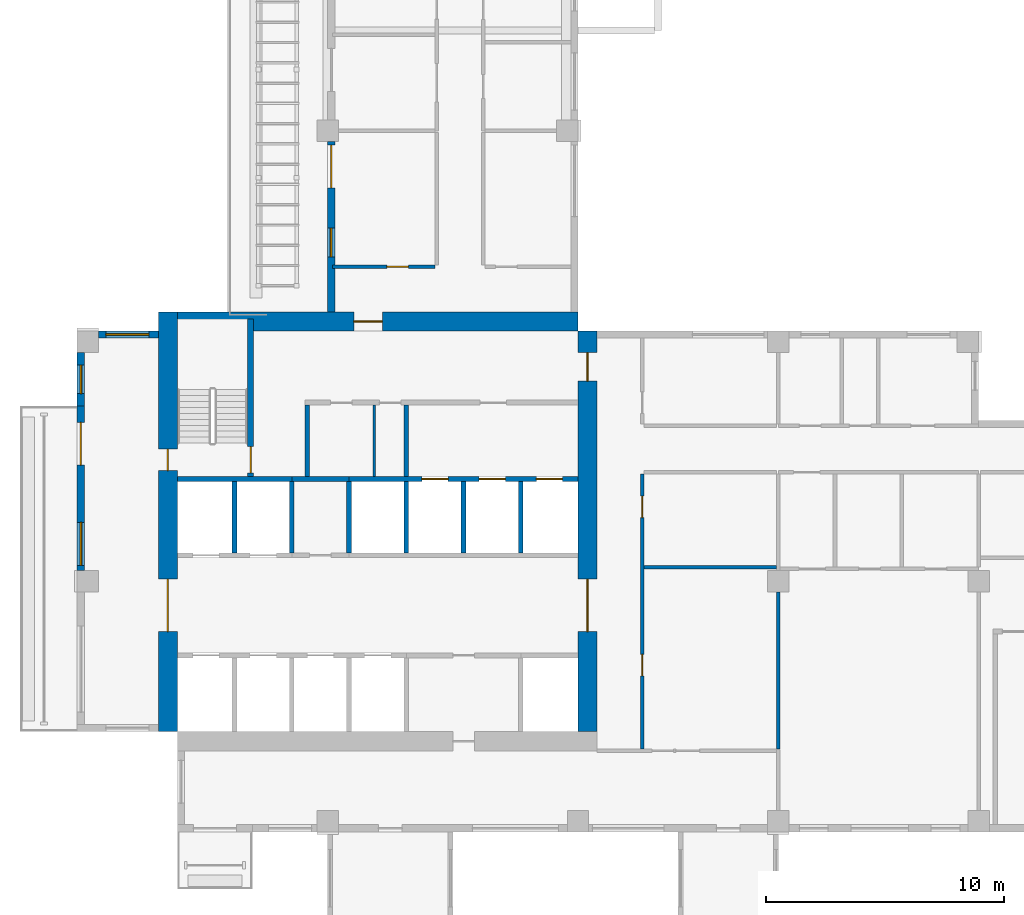
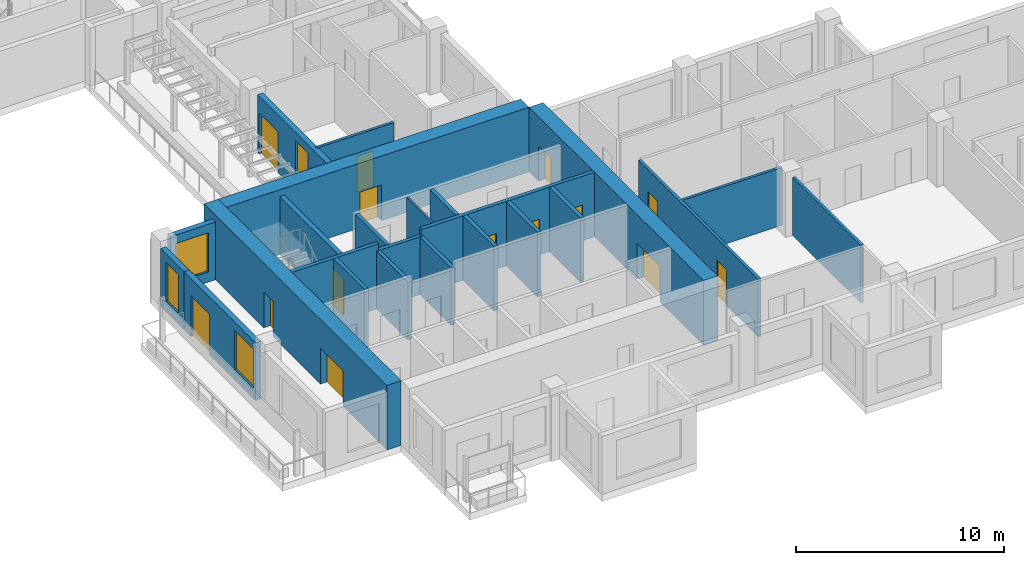
# One storey, part 5 of 14: 24 walls, 14 doors, 4 windows, 18 openings.
"""IFC4 building model written with IfcOpenShell, lengths in metres."""

from ifc_helpers import new_model, si_unit, direction, frame, frame_2d, origin, place, context, subcontext, project, spatial, rectangle, extrude, source, transform, mapped, material, layer, layer_set, type_object, element, fill, save


model = new_model("IFC4")

# Units and contexts
model_context = context("Model", 3, precision=1e-05, world=origin(), true_north=direction((0.0, 1.0)))
body_context = subcontext(model_context, "Body", "Model", "MODEL_VIEW")
ifc_project = project(units=[si_unit("LENGTHUNIT", "METRE"), si_unit("AREAUNIT", "SQUARE_METRE"), si_unit("VOLUMEUNIT", "CUBIC_METRE"), si_unit("PLANEANGLEUNIT", "RADIAN"), si_unit("MASSUNIT", "GRAM", prefix="KILO")], contexts=[model_context])

# Site, building, storey
site_placement = place(None, origin())
site = spatial("IfcSite", under=ifc_project, at=site_placement, CompositionType="ELEMENT")
building_placement = place(site_placement, origin())
building = spatial("IfcBuilding", under=site, at=building_placement, Name="Aurelian Terraces", CompositionType="ELEMENT")
storey_placement = place(building_placement, frame((0.0, 0.0, 185.4)))
storey = spatial("IfcBuildingStorey", under=building, at=storey_placement, Name="L40", CompositionType="ELEMENT", Elevation=185.4)

# Wall, opening, window
ifc_material_1 = material(Name="Terracotta rainscreen cladding", Category="masonry")
ifc_layer_1 = layer(ifc_material_1, 0.3)
ifc_layer_set_1 = layer_set([ifc_layer_1], Name="EW-300")
wall_type_1 = type_object("IfcWallType", Name="EW-300", PredefinedType="STANDARD", material=ifc_layer_set_1)
wall_1_placement = place(storey_placement, frame((0.15, 20.1, 0.0), z_axis=(0.0, 0.0, 1.0), x_axis=(0.0, -1.0, 0.0)))
wall_1 = element("IfcWall", 1, at=wall_1_placement, inside=storey, type_object=wall_type_1, Name="External wall L40 F22.38", PredefinedType="STANDARD", context=body_context, shape_type="SweptSolid", body=[
    extrude(rectangle(XDim=2.25, YDim=0.3, at=frame_2d((1.125, 0.0))), origin(), (0.0, 0.0, 1.0), 3.4),
])
shared_shape_1 = source(origin(), body_context, "Body", "SweptSolid", [
    extrude(rectangle(XDim=1.2, YDim=2.3, at=frame_2d((0.6, 1.15))), frame((0.0, 0.16, 0.0), z_axis=(0.0, -1.0, 0.0), x_axis=(1.0, 0.0, 0.0)), (0.0, 0.0, 1.0), 0.32),
])
opening_1_placement = place(wall_1_placement, frame((0.525, 0.0, 0.6)))
opening_1 = element("IfcOpeningElement", 2, at=opening_1_placement, cuts=wall_1, Name="Opening W1223", PredefinedType="OPENING", context=body_context, shape_type="MappedRepresentation", body=[
    mapped(shared_shape_1, transform((0.0, 0.0, 0.0), scale=1.0)),
])
ifc_material_2 = material(Name="Clear glazing", Category="glass")
window_type_1 = type_object("IfcWindowType", Name="W-1200x2300", PartitioningType="SINGLE_PANEL", PredefinedType="WINDOW", material=ifc_material_2)
shared_shape_2 = source(origin(), body_context, "Body", "SweptSolid", [
    extrude(rectangle(XDim=1.2, YDim=2.3, at=frame_2d((0.6, 1.15))), frame((0.0, 0.03, 0.0), z_axis=(0.0, -1.0, 0.0), x_axis=(1.0, 0.0, 0.0)), (0.0, 0.0, 1.0), 0.06),
])
window_1_placement = place(opening_1_placement, origin())
window_1 = element("IfcWindow", 3, at=window_1_placement, inside=storey, type_object=window_type_1, Name="Window L40 L40-F22-38-P0", OverallHeight=2.3, OverallWidth=1.2, PartitioningType="SINGLE_PANEL", PredefinedType="WINDOW", context=body_context, shape_type="MappedRepresentation", body=[
    mapped(shared_shape_2, transform((0.0, 0.0, 0.0), scale=1.0)),
])
fill(opening_1, window_1)

# Wall, openings, door, window
wall_2_placement = place(storey_placement, frame((0.15, 17.85, 0.0), z_axis=(0.0, 0.0, 1.0), x_axis=(0.0, -1.0, 0.0)))
wall_2 = element("IfcWall", 4, at=wall_2_placement, inside=storey, type_object=wall_type_1, Name="External wall L40 F22.39", PredefinedType="STANDARD", context=body_context, shape_type="SweptSolid", body=[
    extrude(rectangle(XDim=6.9, YDim=0.3, at=frame_2d((3.45, 0.0))), origin(), (0.0, 0.0, 1.0), 3.4),
])
shared_shape_3 = source(origin(), body_context, "Body", "SweptSolid", [
    extrude(rectangle(XDim=1.8, YDim=2.4, at=frame_2d((0.9, 1.2))), frame((0.0, 0.16, 0.0), z_axis=(0.0, -1.0, 0.0), x_axis=(1.0, 0.0, 0.0)), (0.0, 0.0, 1.0), 0.32),
])
opening_2_placement = place(wall_2_placement, frame((0.675, 0.0, 0.0)))
opening_2 = element("IfcOpeningElement", 5, at=opening_2_placement, cuts=wall_2, Name="Opening 84006", PredefinedType="OPENING", context=body_context, shape_type="MappedRepresentation", body=[
    mapped(shared_shape_3, transform((0.0, 0.0, 0.0), scale=1.0)),
])
shared_shape_4 = source(origin(), body_context, "Body", "SweptSolid", [
    extrude(rectangle(XDim=1.8, YDim=2.3, at=frame_2d((0.9, 1.15))), frame((0.0, 0.16, 0.0), z_axis=(0.0, -1.0, 0.0), x_axis=(1.0, 0.0, 0.0)), (0.0, 0.0, 1.0), 0.32),
])
opening_3_placement = place(wall_2_placement, frame((4.875, 0.0, 0.6)))
opening_3 = element("IfcOpeningElement", 6, at=opening_3_placement, cuts=wall_2, Name="Opening W1823", PredefinedType="OPENING", context=body_context, shape_type="MappedRepresentation", body=[
    mapped(shared_shape_4, transform((0.0, 0.0, 0.0), scale=1.0)),
])
door_type_1 = type_object("IfcDoorType", Name="BD-1800x2400", OperationType="SLIDING_TO_LEFT", PredefinedType="DOOR", material=ifc_material_2)
shared_shape_5 = source(origin(), body_context, "Body", "SweptSolid", [
    extrude(rectangle(XDim=1.8, YDim=2.4, at=frame_2d((0.9, 1.2))), frame((0.0, 0.025, 0.0), z_axis=(0.0, -1.0, 0.0), x_axis=(1.0, 0.0, 0.0)), (0.0, 0.0, 1.0), 0.05),
])
door_1_placement = place(opening_2_placement, origin())
door_1 = element("IfcDoor", 7, at=door_1_placement, inside=storey, type_object=door_type_1, Name="Balcony door L40 F22.39", OperationType="SLIDING_TO_LEFT", OverallHeight=2.4, OverallWidth=1.8, PredefinedType="DOOR", context=body_context, shape_type="MappedRepresentation", body=[
    mapped(shared_shape_5, transform((0.0, 0.0, 0.0), scale=1.0)),
])
fill(opening_2, door_1)
window_type_2 = type_object("IfcWindowType", Name="W-1800x2300", PartitioningType="SINGLE_PANEL", PredefinedType="WINDOW", material=ifc_material_2)
shared_shape_6 = source(origin(), body_context, "Body", "SweptSolid", [
    extrude(rectangle(XDim=1.8, YDim=2.3, at=frame_2d((0.9, 1.15))), frame((0.0, 0.03, 0.0), z_axis=(0.0, -1.0, 0.0), x_axis=(1.0, 0.0, 0.0)), (0.0, 0.0, 1.0), 0.06),
])
window_2_placement = place(opening_3_placement, origin())
window_2 = element("IfcWindow", 8, at=window_2_placement, inside=storey, type_object=window_type_2, Name="Window L40 L40-F22-39-1", OverallHeight=2.3, OverallWidth=1.8, PartitioningType="SINGLE_PANEL", PredefinedType="WINDOW", context=body_context, shape_type="MappedRepresentation", body=[
    mapped(shared_shape_6, transform((0.0, 0.0, 0.0), scale=1.0)),
])
fill(opening_3, window_2)

# Wall, opening, door
ifc_material_3 = material(Name="Gypsum board on steel studs", Category="steel")
ifc_layer_2 = layer(ifc_material_3, 0.15)
ifc_layer_set_2 = layer_set([ifc_layer_2], Name="Partition 150")
wall_type_2 = type_object("IfcWallType", Name="Partition 150", PredefinedType="PARTITIONING", material=ifc_layer_set_2)
wall_3_placement = place(storey_placement, frame((10.705, 23.7, 0.0), z_axis=(0.0, 0.0, 1.0), x_axis=(1.0, 0.0, 0.0)))
wall_3 = element("IfcWall", 9, at=wall_3_placement, inside=storey, type_object=wall_type_2, Name="Partition", PredefinedType="PARTITIONING", context=body_context, shape_type="SweptSolid", body=[
    extrude(rectangle(XDim=4.295, YDim=0.15, at=frame_2d((2.1475, 0.0))), origin(), (0.0, 0.0, 1.0), 3.4),
])
shared_shape_7 = source(origin(), body_context, "Body", "SweptSolid", [
    extrude(rectangle(XDim=0.9, YDim=2.1, at=frame_2d((0.45, 1.05))), frame((0.0, 0.085, 0.0), z_axis=(0.0, -1.0, 0.0), x_axis=(1.0, 0.0, 0.0)), (0.0, 0.0, 1.0), 0.17),
])
opening_4_placement = place(wall_3_placement, frame((2.2825, 0.0, 0.0)))
opening_4 = element("IfcOpeningElement", 10, at=opening_4_placement, cuts=wall_3, Name="Opening 740020", PredefinedType="OPENING", context=body_context, shape_type="MappedRepresentation", body=[
    mapped(shared_shape_7, transform((0.0, 0.0, 0.0), scale=1.0)),
])
ifc_material_4 = material(Name="Timber door leaf", Category="wood")
door_type_2 = type_object("IfcDoorType", Name="Room door 900x2100 left", OperationType="SINGLE_SWING_LEFT", PredefinedType="DOOR", material=ifc_material_4)
shared_shape_8 = source(origin(), body_context, "Body", "SweptSolid", [
    extrude(rectangle(XDim=0.9, YDim=2.1, at=frame_2d((0.45, 1.05))), frame((0.0, 0.025, 0.0), z_axis=(0.0, -1.0, 0.0), x_axis=(1.0, 0.0, 0.0)), (0.0, 0.0, 1.0), 0.05),
])
door_2_placement = place(opening_4_placement, origin())
door_2 = element("IfcDoor", 11, at=door_2_placement, inside=storey, type_object=door_type_2, Name="Door 740020", OperationType="SINGLE_SWING_LEFT", OverallHeight=2.1, OverallWidth=0.9, PredefinedType="DOOR", context=body_context, shape_type="MappedRepresentation", body=[
    mapped(shared_shape_8, transform((0.0, 0.0, 0.0), scale=1.0)),
])
fill(opening_4, door_2)

# Wall, openings, doors
ifc_material_5 = material(Name="Concrete fc' 70 MPa", Category="concrete")
ifc_layer_3 = layer(ifc_material_5, 0.8)
ifc_layer_set_3 = layer_set([ifc_layer_3], Name="CORE WALL 800 FC70")
wall_type_3 = type_object("IfcWallType", Name="CORE WALL 800 FC70", PredefinedType="SHEAR", material=ifc_layer_set_3)
shared_shape_9 = source(origin(), body_context, "Body", "SweptSolid", [
    extrude(rectangle(XDim=17.6, YDim=0.8, at=frame_2d((8.8, 0.0))), origin(), (0.0, 0.0, 1.0), 3.8),
])
wall_4_placement = place(storey_placement, frame((3.8, 4.2, 0.0), z_axis=(0.0, 0.0, 1.0), x_axis=(0.0, 1.0, 0.0)))
wall_4 = element("IfcWall", 12, at=wall_4_placement, inside=storey, type_object=wall_type_3, Name="Core wall W L40", PredefinedType="SHEAR", context=body_context, shape_type="MappedRepresentation", body=[
    mapped(shared_shape_9, transform((0.0, 0.0, 0.0), scale=1.0)),
])
shared_shape_10 = source(origin(), body_context, "Body", "SweptSolid", [
    extrude(rectangle(XDim=2.2, YDim=2.1, at=frame_2d((1.1, 1.05))), frame((0.0, 0.41, 0.0), z_axis=(0.0, -1.0, 0.0), x_axis=(1.0, 0.0, 0.0)), (0.0, 0.0, 1.0), 0.82),
])
opening_5_placement = place(wall_4_placement, frame((4.2, 0.0, 0.0)))
opening_5 = element("IfcOpeningElement", 13, at=opening_5_placement, cuts=wall_4, Name="Opening 64322", PredefinedType="OPENING", context=body_context, shape_type="MappedRepresentation", body=[
    mapped(shared_shape_10, transform((0.0, 0.0, 0.0), scale=1.0)),
])
shared_shape_11 = source(origin(), body_context, "Body", "SweptSolid", [
    extrude(rectangle(XDim=0.9, YDim=2.1, at=frame_2d((0.45, 1.05))), frame((0.0, 0.41, 0.0), z_axis=(0.0, -1.0, 0.0), x_axis=(1.0, 0.0, 0.0)), (0.0, 0.0, 1.0), 0.82),
])
opening_6_placement = place(wall_4_placement, frame((10.95, 0.0, 0.0)))
opening_6 = element("IfcOpeningElement", 14, at=opening_6_placement, cuts=wall_4, Name="Opening 64326", PredefinedType="OPENING", context=body_context, shape_type="MappedRepresentation", body=[
    mapped(shared_shape_11, transform((0.0, 0.0, 0.0), scale=1.0)),
])
ifc_material_6 = material(Name="Steel door leaf", Category="steel")
door_type_3 = type_object("IfcDoorType", Name="Core service door 900x2100", OperationType="SINGLE_SWING_LEFT", PredefinedType="DOOR", material=ifc_material_6)
door_3_placement = place(opening_6_placement, origin())
door_3 = element("IfcDoor", 15, at=door_3_placement, inside=storey, type_object=door_type_3, Name="Core door 64326", OperationType="SINGLE_SWING_LEFT", OverallHeight=2.1, OverallWidth=0.9, PredefinedType="DOOR", context=body_context, shape_type="MappedRepresentation", body=[
    mapped(shared_shape_8, transform((0.0, 0.0, 0.0), scale=1.0)),
])
fill(opening_6, door_3)
door_type_4 = type_object("IfcDoorType", Name="Core double door 2200x2100", OperationType="DOUBLE_DOOR_SINGLE_SWING", PredefinedType="DOOR", material=ifc_material_6)
shared_shape_12 = source(origin(), body_context, "Body", "SweptSolid", [
    extrude(rectangle(XDim=2.2, YDim=2.1, at=frame_2d((1.1, 1.05))), frame((0.0, 0.025, 0.0), z_axis=(0.0, -1.0, 0.0), x_axis=(1.0, 0.0, 0.0)), (0.0, 0.0, 1.0), 0.05),
])
door_4_placement = place(opening_5_placement, origin())
door_4 = element("IfcDoor", 16, at=door_4_placement, inside=storey, type_object=door_type_4, Name="Core door 64322", OperationType="DOUBLE_DOOR_SINGLE_SWING", OverallHeight=2.1, OverallWidth=2.2, PredefinedType="DOOR", context=body_context, shape_type="MappedRepresentation", body=[
    mapped(shared_shape_12, transform((0.0, 0.0, 0.0), scale=1.0)),
])
fill(opening_5, door_4)

shared_shape_13 = source(origin(), body_context, "Body", "SweptSolid", [
    extrude(rectangle(XDim=16.8, YDim=0.8, at=frame_2d((8.4, 0.0))), origin(), (0.0, 0.0, 1.0), 3.8),
])
wall_5_placement = place(storey_placement, frame((21.4, 4.2, 0.0), z_axis=(0.0, 0.0, 1.0), x_axis=(0.0, 1.0, 0.0)))
wall_5 = element("IfcWall", 17, at=wall_5_placement, inside=storey, type_object=wall_type_3, Name="Core wall E L40", PredefinedType="SHEAR", context=body_context, shape_type="MappedRepresentation", body=[
    mapped(shared_shape_13, transform((0.0, 0.0, 0.0), scale=1.0)),
])
opening_7_placement = place(wall_5_placement, frame((4.2, 0.0, 0.0)))
opening_7 = element("IfcOpeningElement", 18, at=opening_7_placement, cuts=wall_5, Name="Opening 64321", PredefinedType="OPENING", context=body_context, shape_type="MappedRepresentation", body=[
    mapped(shared_shape_10, transform((0.0, 0.0, 0.0), scale=1.0)),
])
shared_shape_14 = source(origin(), body_context, "Body", "SweptSolid", [
    extrude(rectangle(XDim=1.2, YDim=2.1, at=frame_2d((0.6, 1.05))), frame((0.0, 0.41, 0.0), z_axis=(0.0, -1.0, 0.0), x_axis=(1.0, 0.0, 0.0)), (0.0, 0.0, 1.0), 0.82),
])
opening_8_placement = place(wall_5_placement, frame((14.7, 0.0, 0.0)))
opening_8 = element("IfcOpeningElement", 19, at=opening_8_placement, cuts=wall_5, Name="Opening 64324", PredefinedType="OPENING", context=body_context, shape_type="MappedRepresentation", body=[
    mapped(shared_shape_14, transform((0.0, 0.0, 0.0), scale=1.0)),
])
door_type_5 = type_object("IfcDoorType", Name="Core fire door 1200x2100", OperationType="SINGLE_SWING_LEFT", PredefinedType="DOOR", material=ifc_material_6)
shared_shape_15 = source(origin(), body_context, "Body", "SweptSolid", [
    extrude(rectangle(XDim=1.2, YDim=2.1, at=frame_2d((0.6, 1.05))), frame((0.0, 0.025, 0.0), z_axis=(0.0, -1.0, 0.0), x_axis=(1.0, 0.0, 0.0)), (0.0, 0.0, 1.0), 0.05),
])
door_5_placement = place(opening_8_placement, origin())
door_5 = element("IfcDoor", 20, at=door_5_placement, inside=storey, type_object=door_type_5, Name="Core door 64324", OperationType="SINGLE_SWING_LEFT", OverallHeight=2.1, OverallWidth=1.2, PredefinedType="DOOR", context=body_context, shape_type="MappedRepresentation", body=[
    mapped(shared_shape_15, transform((0.0, 0.0, 0.0), scale=1.0)),
])
fill(opening_8, door_5)
door_6_placement = place(opening_7_placement, origin())
door_6 = element("IfcDoor", 21, at=door_6_placement, inside=storey, type_object=door_type_4, Name="Core door 64321", OperationType="DOUBLE_DOOR_SINGLE_SWING", OverallHeight=2.1, OverallWidth=2.2, PredefinedType="DOOR", context=body_context, shape_type="MappedRepresentation", body=[
    mapped(shared_shape_12, transform((0.0, 0.0, 0.0), scale=1.0)),
])
fill(opening_7, door_6)

# Wall, opening, door
wall_6_placement = place(storey_placement, frame((4.2, 21.4, 0.0), z_axis=(0.0, 0.0, 1.0), x_axis=(1.0, 0.0, 0.0)))
wall_6 = element("IfcWall", 22, at=wall_6_placement, inside=storey, type_object=wall_type_3, Name="Core wall N L40", PredefinedType="SHEAR", context=body_context, shape_type="MappedRepresentation", body=[
    mapped(shared_shape_13, transform((0.0, 0.0, 0.0), scale=1.0)),
])
opening_9_placement = place(wall_6_placement, frame((7.4, 0.0, 0.0)))
opening_9 = element("IfcOpeningElement", 23, at=opening_9_placement, cuts=wall_6, Name="Opening 64323", PredefinedType="OPENING", context=body_context, shape_type="MappedRepresentation", body=[
    mapped(shared_shape_14, transform((0.0, 0.0, 0.0), scale=1.0)),
])
door_type_6 = type_object("IfcDoorType", Name="Core fire door 1200x2100 right", OperationType="SINGLE_SWING_RIGHT", PredefinedType="DOOR", material=ifc_material_6)
door_7_placement = place(opening_9_placement, origin())
door_7 = element("IfcDoor", 24, at=door_7_placement, inside=storey, type_object=door_type_6, Name="Core door 64323", OperationType="SINGLE_SWING_RIGHT", OverallHeight=2.1, OverallWidth=1.2, PredefinedType="DOOR", context=body_context, shape_type="MappedRepresentation", body=[
    mapped(shared_shape_15, transform((0.0, 0.0, 0.0), scale=1.0)),
])
fill(opening_9, door_7)

# Wall, openings, door, window
shared_shape_16 = source(origin(), body_context, "Body", "SweptSolid", [
    extrude(rectangle(XDim=7.15, YDim=0.3, at=frame_2d((3.575, 0.0))), origin(), (0.0, 0.0, 1.0), 3.4),
])
wall_7_placement = place(storey_placement, frame((10.65, 28.95, 0.0), z_axis=(0.0, 0.0, 1.0), x_axis=(0.0, -1.0, 0.0)))
wall_7 = element("IfcWall", 25, at=wall_7_placement, inside=storey, type_object=wall_type_1, Name="External wall L40 F18.34", PredefinedType="STANDARD", context=body_context, shape_type="MappedRepresentation", body=[
    mapped(shared_shape_16, transform((0.0, 0.0, 0.0), scale=1.0)),
])
opening_10_placement = place(wall_7_placement, frame((0.15, 0.0, 0.0)))
opening_10 = element("IfcOpeningElement", 26, at=opening_10_placement, cuts=wall_7, Name="Opening 84005", PredefinedType="OPENING", context=body_context, shape_type="MappedRepresentation", body=[
    mapped(shared_shape_3, transform((0.0, 0.0, 0.0), scale=1.0)),
])
opening_11_placement = place(wall_7_placement, frame((3.6375, 0.0, 0.6)))
opening_11 = element("IfcOpeningElement", 27, at=opening_11_placement, cuts=wall_7, Name="Opening W1223", PredefinedType="OPENING", context=body_context, shape_type="MappedRepresentation", body=[
    mapped(shared_shape_1, transform((0.0, 0.0, 0.0), scale=1.0)),
])
door_8_placement = place(opening_10_placement, origin())
door_8 = element("IfcDoor", 28, at=door_8_placement, inside=storey, type_object=door_type_1, Name="Terrace door L40 L40-F18-34.3", OperationType="SLIDING_TO_LEFT", OverallHeight=2.4, OverallWidth=1.8, PredefinedType="DOOR", context=body_context, shape_type="MappedRepresentation", body=[
    mapped(shared_shape_5, transform((0.0, 0.0, 0.0), scale=1.0)),
])
fill(opening_10, door_8)
window_3_placement = place(opening_11_placement, origin())
window_3 = element("IfcWindow", 29, at=window_3_placement, inside=storey, type_object=window_type_1, Name="Window L40 L40-F18-34-G1-109", OverallHeight=2.3, OverallWidth=1.2, PartitioningType="SINGLE_PANEL", PredefinedType="WINDOW", context=body_context, shape_type="MappedRepresentation", body=[
    mapped(shared_shape_2, transform((0.0, 0.0, 0.0), scale=1.0)),
])
fill(opening_11, window_3)

# Wall, opening, window
shared_shape_17 = source(origin(), body_context, "Body", "SweptSolid", [
    extrude(rectangle(XDim=2.5, YDim=0.3, at=frame_2d((1.25, 0.0))), origin(), (0.0, 0.0, 1.0), 3.4),
])
wall_8_placement = place(storey_placement, frame((3.4, 20.85, 0.0), z_axis=(0.0, 0.0, 1.0), x_axis=(-1.0, 0.0, 0.0)))
wall_8 = element("IfcWall", 30, at=wall_8_placement, inside=storey, type_object=wall_type_1, Name="External wall L40 F21.37", PredefinedType="STANDARD", context=body_context, shape_type="MappedRepresentation", body=[
    mapped(shared_shape_17, transform((0.0, 0.0, 0.0), scale=1.0)),
])
opening_12_placement = place(wall_8_placement, frame((0.4, 0.0, 0.6)))
opening_12 = element("IfcOpeningElement", 31, at=opening_12_placement, cuts=wall_8, Name="Opening W1823", PredefinedType="OPENING", context=body_context, shape_type="MappedRepresentation", body=[
    mapped(shared_shape_4, transform((0.0, 0.0, 0.0), scale=1.0)),
])
window_4_placement = place(opening_12_placement, origin())
window_4 = element("IfcWindow", 32, at=window_4_placement, inside=storey, type_object=window_type_2, Name="Window L40 L40-F21-37-0", OverallHeight=2.3, OverallWidth=1.8, PartitioningType="SINGLE_PANEL", PredefinedType="WINDOW", context=body_context, shape_type="MappedRepresentation", body=[
    mapped(shared_shape_6, transform((0.0, 0.0, 0.0), scale=1.0)),
])
fill(opening_12, window_4)

# Walls
ifc_material_7 = material(Name="Concrete fc' 40 MPa", Category="concrete")
ifc_layer_4 = layer(ifc_material_7, 0.2)
ifc_layer_set_4 = layer_set([ifc_layer_4], Name="Lift shaft wall 200")
wall_type_4 = type_object("IfcWallType", Name="Lift shaft wall 200", PredefinedType="SOLIDWALL", material=ifc_layer_set_4)
shared_shape_18 = source(origin(), body_context, "Body", "SweptSolid", [
    extrude(rectangle(XDim=3.0, YDim=0.2, at=frame_2d((1.5, 0.0))), origin(), (0.0, 0.0, 1.0), 3.4),
])
for number, where, z_axis, x_axis, name in (
    (33, (9.0, 11.7, 0.0), (0.0, 0.0, 1.0), (0.0, 1.0, 0.0), "L40 core wall CD-B2"),
    (34, (11.4, 11.7, 0.0), (0.0, 0.0, 1.0), (0.0, 1.0, 0.0), "L40 core wall CD-B3"),
):
    element("IfcWall", number, at=place(storey_placement, frame(where, z_axis=z_axis, x_axis=x_axis)), inside=storey, type_object=wall_type_4, Name=name, PredefinedType="SOLIDWALL", context=body_context, shape_type="MappedRepresentation", body=[
        mapped(shared_shape_18, transform((0.0, 0.0, 0.0), scale=1.0)),
    ])
shared_shape_19 = source(origin(), body_context, "Body", "SweptSolid", [
    extrude(rectangle(XDim=3.0, YDim=0.2, at=frame_2d((1.5, 0.0))), origin(), (0.0, 0.0, 1.0), 3.8),
])
for number, where, z_axis, x_axis, name in (
    (35, (6.6, 11.7, 0.0), (0.0, 0.0, 1.0), (0.0, 1.0, 0.0), "L40 core wall CD-B1"),
    (36, (13.8, 11.7, 0.0), (0.0, 0.0, 1.0), (0.0, 1.0, 0.0), "L40 core wall CD-B4"),
    (37, (16.2, 11.7, 0.0), (0.0, 0.0, 1.0), (0.0, 1.0, 0.0), "L40 core wall CD-B5"),
    (38, (18.6, 11.7, 0.0), (0.0, 0.0, 1.0), (0.0, 1.0, 0.0), "L40 core wall CD-B6"),
):
    element("IfcWall", number, at=place(storey_placement, frame(where, z_axis=z_axis, x_axis=x_axis)), inside=storey, type_object=wall_type_4, Name=name, PredefinedType="SOLIDWALL", context=body_context, shape_type="MappedRepresentation", body=[
        mapped(shared_shape_19, transform((0.0, 0.0, 0.0), scale=1.0)),
    ])

# Wall, openings, doors
shared_shape_20 = source(origin(), body_context, "Body", "SweptSolid", [
    extrude(rectangle(XDim=9.6, YDim=0.2, at=frame_2d((4.8, 0.0))), origin(), (0.0, 0.0, 1.0), 3.8),
])
wall_9_placement = place(storey_placement, frame((11.4, 14.8, 0.0), z_axis=(0.0, 0.0, 1.0), x_axis=(1.0, 0.0, 0.0)))
wall_9 = element("IfcWall", 39, at=wall_9_placement, inside=storey, type_object=wall_type_4, Name="L40 core wall CF-BB3", PredefinedType="SOLIDWALL", context=body_context, shape_type="MappedRepresentation", body=[
    mapped(shared_shape_20, transform((0.0, 0.0, 0.0), scale=1.0)),
])
shared_shape_21 = source(origin(), body_context, "Body", "SweptSolid", [
    extrude(rectangle(XDim=1.1, YDim=2.1, at=frame_2d((0.55, 1.05))), frame((0.0, 0.11, 0.0), z_axis=(0.0, -1.0, 0.0), x_axis=(1.0, 0.0, 0.0)), (0.0, 0.0, 1.0), 0.22),
])
opening_13_placement = place(wall_9_placement, frame((3.05, 0.0, 0.0)))
opening_13 = element("IfcOpeningElement", 40, at=opening_13_placement, cuts=wall_9, Name="Opening 64308", PredefinedType="OPENING", context=body_context, shape_type="MappedRepresentation", body=[
    mapped(shared_shape_21, transform((0.0, 0.0, 0.0), scale=1.0)),
])
opening_14_placement = place(wall_9_placement, frame((5.45, 0.0, 0.0)))
opening_14 = element("IfcOpeningElement", 41, at=opening_14_placement, cuts=wall_9, Name="Opening 64309", PredefinedType="OPENING", context=body_context, shape_type="MappedRepresentation", body=[
    mapped(shared_shape_21, transform((0.0, 0.0, 0.0), scale=1.0)),
])
opening_15_placement = place(wall_9_placement, frame((7.85, 0.0, 0.0)))
opening_15 = element("IfcOpeningElement", 42, at=opening_15_placement, cuts=wall_9, Name="Opening 64310", PredefinedType="OPENING", context=body_context, shape_type="MappedRepresentation", body=[
    mapped(shared_shape_21, transform((0.0, 0.0, 0.0), scale=1.0)),
])
ifc_material_8 = material(Name="Stainless steel", Category="steel")
door_type_7 = type_object("IfcDoorType", Name="Lift landing door 1100x2100", OperationType="SLIDING_TO_LEFT", PredefinedType="DOOR", material=ifc_material_8)
shared_shape_22 = source(origin(), body_context, "Body", "SweptSolid", [
    extrude(rectangle(XDim=1.1, YDim=2.1, at=frame_2d((0.55, 1.05))), frame((0.0, 0.025, 0.0), z_axis=(0.0, -1.0, 0.0), x_axis=(1.0, 0.0, 0.0)), (0.0, 0.0, 1.0), 0.05),
])
door_9_placement = place(opening_13_placement, origin())
door_9 = element("IfcDoor", 43, at=door_9_placement, inside=storey, type_object=door_type_7, Name="Lift landing door F1 L40", OperationType="SLIDING_TO_LEFT", OverallHeight=2.1, OverallWidth=1.1, PredefinedType="DOOR", context=body_context, shape_type="MappedRepresentation", body=[
    mapped(shared_shape_22, transform((0.0, 0.0, 0.0), scale=1.0)),
])
fill(opening_13, door_9)
door_10_placement = place(opening_14_placement, origin())
door_10 = element("IfcDoor", 44, at=door_10_placement, inside=storey, type_object=door_type_7, Name="Lift landing door F2 L40", OperationType="SLIDING_TO_LEFT", OverallHeight=2.1, OverallWidth=1.1, PredefinedType="DOOR", context=body_context, shape_type="MappedRepresentation", body=[
    mapped(shared_shape_22, transform((0.0, 0.0, 0.0), scale=1.0)),
])
fill(opening_14, door_10)
door_11_placement = place(opening_15_placement, origin())
door_11 = element("IfcDoor", 45, at=door_11_placement, inside=storey, type_object=door_type_7, Name="Lift landing door F3 L40", OperationType="SLIDING_TO_LEFT", OverallHeight=2.1, OverallWidth=1.1, PredefinedType="DOOR", context=body_context, shape_type="MappedRepresentation", body=[
    mapped(shared_shape_22, transform((0.0, 0.0, 0.0), scale=1.0)),
])
fill(opening_15, door_11)

# Walls
shared_shape_23 = source(origin(), body_context, "Body", "SweptSolid", [
    extrude(rectangle(XDim=4.8, YDim=0.2, at=frame_2d((2.4, 0.0))), origin(), (0.0, 0.0, 1.0), 3.8),
])
wall_10_placement = place(storey_placement, frame((4.2, 14.8, 0.0), z_axis=(0.0, 0.0, 1.0), x_axis=(1.0, 0.0, 0.0)))
element("IfcWall", 46, at=wall_10_placement, inside=storey, type_object=wall_type_4, Name="L40 core wall CF-BB1", PredefinedType="SOLIDWALL", context=body_context, shape_type="MappedRepresentation", body=[
    mapped(shared_shape_23, transform((0.0, 0.0, 0.0), scale=1.0)),
])
shared_shape_24 = source(origin(), body_context, "Body", "SweptSolid", [
    extrude(rectangle(XDim=2.4, YDim=0.2, at=frame_2d((1.2, 0.0))), origin(), (0.0, 0.0, 1.0), 3.4),
])
wall_11_placement = place(storey_placement, frame((9.0, 14.8, 0.0), z_axis=(0.0, 0.0, 1.0), x_axis=(1.0, 0.0, 0.0)))
element("IfcWall", 47, at=wall_11_placement, inside=storey, type_object=wall_type_4, Name="L40 core wall CF-BB2", PredefinedType="SOLIDWALL", context=body_context, shape_type="MappedRepresentation", body=[
    mapped(shared_shape_24, transform((0.0, 0.0, 0.0), scale=1.0)),
])
ifc_layer_5 = layer(ifc_material_3, 0.2)
ifc_layer_set_5 = layer_set([ifc_layer_5], Name="Core partition 200")
wall_type_5 = type_object("IfcWallType", Name="Core partition 200", PredefinedType="PARTITIONING", material=ifc_layer_set_5)
shared_shape_25 = source(origin(), body_context, "Body", "SweptSolid", [
    extrude(rectangle(XDim=3.0, YDim=0.2, at=frame_2d((1.5, 0.0))), origin(), (0.0, 0.0, 1.0), 3.4),
])
for number, where, z_axis, x_axis, name in (
    (48, (9.65, 14.9, 0.0), (0.0, 0.0, 1.0), (0.0, 1.0, 0.0), "L40 core wall CP-VEST"),
    (49, (13.8, 14.9, 0.0), (0.0, 0.0, 1.0), (0.0, 1.0, 0.0), "L40 core wall CP-FFL"),
):
    element("IfcWall", number, at=place(storey_placement, frame(where, z_axis=z_axis, x_axis=x_axis)), inside=storey, type_object=wall_type_5, Name=name, PredefinedType="PARTITIONING", context=body_context, shape_type="MappedRepresentation", body=[
        mapped(shared_shape_25, transform((0.0, 0.0, 0.0), scale=1.0)),
    ])
ifc_layer_6 = layer(ifc_material_3, 0.1)
ifc_layer_set_6 = layer_set([ifc_layer_6], Name="Core partition 100")
wall_type_6 = type_object("IfcWallType", Name="Core partition 100", PredefinedType="PARTITIONING", material=ifc_layer_set_6)
shared_shape_26 = source(origin(), body_context, "Body", "SweptSolid", [
    extrude(rectangle(XDim=3.0, YDim=0.1, at=frame_2d((1.5, 0.0))), origin(), (0.0, 0.0, 1.0), 3.4),
])
wall_12_placement = place(storey_placement, frame((12.45, 14.9, 0.0), z_axis=(0.0, 0.0, 1.0), x_axis=(0.0, 1.0, 0.0)))
element("IfcWall", 50, at=wall_12_placement, inside=storey, type_object=wall_type_6, Name="L40 core wall CP-SV1", PredefinedType="PARTITIONING", context=body_context, shape_type="MappedRepresentation", body=[
    mapped(shared_shape_26, transform((0.0, 0.0, 0.0), scale=1.0)),
])

# Wall, opening, door
ifc_layer_7 = layer(ifc_material_7, 0.25)
ifc_layer_set_7 = layer_set([ifc_layer_7], Name="Stair enclosure wall 250")
wall_type_7 = type_object("IfcWallType", Name="Stair enclosure wall 250", PredefinedType="SOLIDWALL", material=ifc_layer_set_7)
shared_shape_27 = source(origin(), body_context, "Body", "SweptSolid", [
    extrude(rectangle(XDim=6.6, YDim=0.25, at=frame_2d((3.3, 0.0))), origin(), (0.0, 0.0, 1.0), 3.4),
])
wall_13_placement = place(storey_placement, frame((7.275, 14.9, 0.0), z_axis=(0.0, 0.0, 1.0), x_axis=(0.0, 1.0, 0.0)))
wall_13 = element("IfcWall", 51, at=wall_13_placement, inside=storey, type_object=wall_type_7, Name="L40 core wall ST-S1-E", PredefinedType="SOLIDWALL", context=body_context, shape_type="MappedRepresentation", body=[
    mapped(shared_shape_27, transform((0.0, 0.0, 0.0), scale=1.0)),
])
shared_shape_28 = source(origin(), body_context, "Body", "SweptSolid", [
    extrude(rectangle(XDim=1.1, YDim=2.1, at=frame_2d((0.55, 1.05))), frame((0.0, 0.135, 0.0), z_axis=(0.0, -1.0, 0.0), x_axis=(1.0, 0.0, 0.0)), (0.0, 0.0, 1.0), 0.27),
])
opening_16_placement = place(wall_13_placement, frame((0.15, 0.0, 0.0)))
opening_16 = element("IfcOpeningElement", 52, at=opening_16_placement, cuts=wall_13, Name="Opening 64311", PredefinedType="OPENING", context=body_context, shape_type="MappedRepresentation", body=[
    mapped(shared_shape_28, transform((0.0, 0.0, 0.0), scale=1.0)),
])
door_type_8 = type_object("IfcDoorType", Name="Core fire door 1100x2100", OperationType="SINGLE_SWING_LEFT", PredefinedType="DOOR", material=ifc_material_6)
door_12_placement = place(opening_16_placement, origin())
door_12 = element("IfcDoor", 53, at=door_12_placement, inside=storey, type_object=door_type_8, Name="Stair door 64311", OperationType="SINGLE_SWING_LEFT", OverallHeight=2.1, OverallWidth=1.1, PredefinedType="DOOR", context=body_context, shape_type="MappedRepresentation", body=[
    mapped(shared_shape_22, transform((0.0, 0.0, 0.0), scale=1.0)),
])
fill(opening_16, door_12)

# Walls
shared_shape_29 = source(origin(), body_context, "Body", "SweptSolid", [
    extrude(rectangle(XDim=5.55, YDim=0.15, at=frame_2d((2.775, 0.0))), origin(), (0.0, 0.0, 1.0), 3.4),
])
wall_14_placement = place(storey_placement, frame((29.325, 11.1, 0.0), z_axis=(0.0, 0.0, 1.0), x_axis=(-1.0, 0.0, 0.0)))
element("IfcWall", 54, at=wall_14_placement, inside=storey, type_object=wall_type_2, Name="Partition", PredefinedType="PARTITIONING", context=body_context, shape_type="MappedRepresentation", body=[
    mapped(shared_shape_29, transform((0.0, 0.0, 0.0), scale=1.0)),
])
shared_shape_30 = source(origin(), body_context, "Body", "SweptSolid", [
    extrude(rectangle(XDim=6.576, YDim=0.15, at=frame_2d((3.288, 0.0))), origin(), (0.0, 0.0, 1.0), 3.4),
])
wall_15_placement = place(storey_placement, frame((29.4, 3.475, 0.0), z_axis=(0.0, 0.0, 1.0), x_axis=(0.0, 1.0, 0.0)))
element("IfcWall", 55, at=wall_15_placement, inside=storey, type_object=wall_type_2, Name="Partition", PredefinedType="PARTITIONING", context=body_context, shape_type="MappedRepresentation", body=[
    mapped(shared_shape_30, transform((0.0, 0.0, 0.0), scale=1.0)),
])

# Wall, openings, doors
shared_shape_31 = source(origin(), body_context, "Body", "SweptSolid", [
    extrude(rectangle(XDim=11.525, YDim=0.15, at=frame_2d((5.7625, 0.0))), origin(), (0.0, 0.0, 1.0), 3.4),
])
wall_16_placement = place(storey_placement, frame((23.7, 15.0, 0.0), z_axis=(0.0, 0.0, 1.0), x_axis=(0.0, -1.0, 0.0)))
wall_16 = element("IfcWall", 56, at=wall_16_placement, inside=storey, type_object=wall_type_2, Name="Partition", PredefinedType="PARTITIONING", context=body_context, shape_type="MappedRepresentation", body=[
    mapped(shared_shape_31, transform((0.0, 0.0, 0.0), scale=1.0)),
])
opening_17_placement = place(wall_16_placement, frame((7.5625, 0.0, 0.0)))
opening_17 = element("IfcOpeningElement", 57, at=opening_17_placement, cuts=wall_16, Name="Opening 740001", PredefinedType="OPENING", context=body_context, shape_type="MappedRepresentation", body=[
    mapped(shared_shape_7, transform((0.0, 0.0, 0.0), scale=1.0)),
])
opening_18_placement = place(wall_16_placement, frame((0.925, 0.0, 0.0)))
opening_18 = element("IfcOpeningElement", 58, at=opening_18_placement, cuts=wall_16, Name="Opening 740002", PredefinedType="OPENING", context=body_context, shape_type="MappedRepresentation", body=[
    mapped(shared_shape_7, transform((0.0, 0.0, 0.0), scale=1.0)),
])
door_type_9 = type_object("IfcDoorType", Name="Room door 900x2100 right", OperationType="SINGLE_SWING_RIGHT", PredefinedType="DOOR", material=ifc_material_4)
door_13_placement = place(opening_17_placement, origin())
door_13 = element("IfcDoor", 59, at=door_13_placement, inside=storey, type_object=door_type_9, Name="Door 740001", OperationType="SINGLE_SWING_RIGHT", OverallHeight=2.1, OverallWidth=0.9, PredefinedType="DOOR", context=body_context, shape_type="MappedRepresentation", body=[
    mapped(shared_shape_8, transform((0.0, 0.0, 0.0), scale=1.0)),
])
fill(opening_17, door_13)
door_14_placement = place(opening_18_placement, origin())
door_14 = element("IfcDoor", 60, at=door_14_placement, inside=storey, type_object=door_type_2, Name="Door 740002", OperationType="SINGLE_SWING_LEFT", OverallHeight=2.1, OverallWidth=0.9, PredefinedType="DOOR", context=body_context, shape_type="MappedRepresentation", body=[
    mapped(shared_shape_8, transform((0.0, 0.0, 0.0), scale=1.0)),
])
fill(opening_18, door_14)

save(model, "model.ifc")
